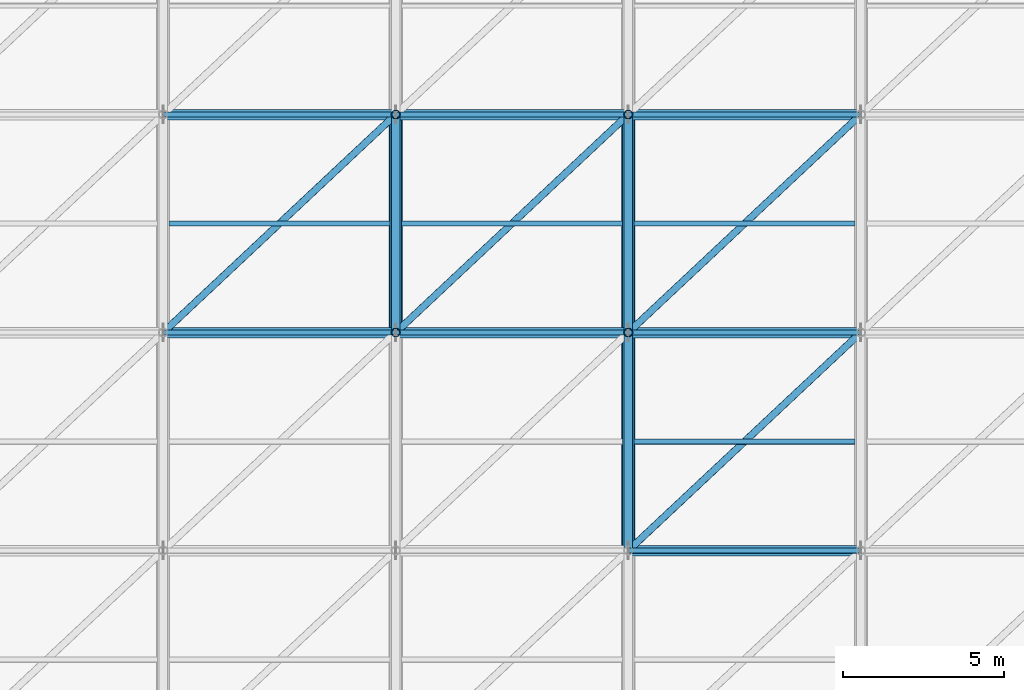
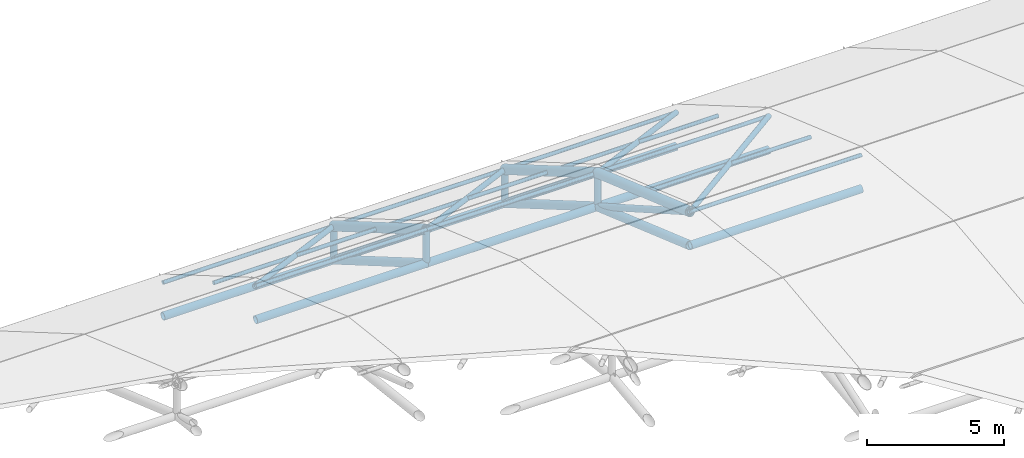
# One storey, part 6 of 72: 32 members, 3 beams.
"""IFC4 building model written with IfcOpenShell, lengths in metres."""

from ifc_helpers import new_model, si_unit, direction, frame, origin, origin_2d, place, context, subcontext, project, spatial, hollow_circle, extrude, material, material_profile, profile_set, type_object, element, save


model = new_model("IFC4")

# Units and contexts
model_context = context("Model", 3, precision=1e-05, world=origin(), true_north=direction((0.0, 1.0)))
body_context = subcontext(model_context, "Body", "Model", "MODEL_VIEW")
ifc_project = project(units=[si_unit("LENGTHUNIT", "METRE"), si_unit("AREAUNIT", "SQUARE_METRE"), si_unit("VOLUMEUNIT", "CUBIC_METRE"), si_unit("PLANEANGLEUNIT", "RADIAN"), si_unit("MASSUNIT", "GRAM", prefix="KILO")], contexts=[model_context])

# Site, building, storey
site_placement = place(None, origin())
site = spatial("IfcSite", under=ifc_project, at=site_placement, CompositionType="ELEMENT")
building_placement = place(site_placement, origin())
building = spatial("IfcBuilding", under=site, at=building_placement, Name="Vaelcorin Mobility Hub", CompositionType="ELEMENT")
storey_placement = place(building_placement, frame((0.0, 0.0, 25.800048828125)))
storey = spatial("IfcBuildingStorey", under=building, at=storey_placement, Name="RF", CompositionType="ELEMENT", Elevation=25.800048828125)

# Members
ifc_material = material(Name="Steel ASTM A500 Grade C", Category="steel")
ifc_material_profile_1 = material_profile(ifc_material, hollow_circle(Radius=0.161865234375, WallThickness=0.0126953125, at=origin_2d()), Name="HSS12.750X0.500")
ifc_profile_set_1 = profile_set([ifc_material_profile_1], Name="Steel ASTM A500 Grade C")
member_type_1 = type_object("IfcMemberType", Name="SF-CHORD-12", PredefinedType="CHORD", material=ifc_profile_set_1)
for number, where, z_axis, x_axis, name in (
    (1, (50.39990234375, 46.5, -11.85009765625), (1.0, 0.0, 0.0), (0.0, 1.0, 0.0), "Space Frame Lower Longitudinal Chord 3-6"),
    (2, (50.39990234375, 53.25, -15.7880859375), (1.0, 0.0, 0.0), (0.0, 1.0, 0.0), "Space Frame Lower Longitudinal Chord 3-7"),
):
    element("IfcMember", number, at=place(storey_placement, frame(where, z_axis=z_axis, x_axis=x_axis)), inside=storey, type_object=member_type_1, Name=name, PredefinedType="CHORD", context=body_context, shape_type="SweptSolid", body=[
        extrude(hollow_circle(Radius=0.161865234375, WallThickness=0.0126953125, at=origin_2d()), origin(), (0.0, 0.0, 1.0), 7.2001953125),
    ])
for number, where, z_axis, x_axis, name in (
    (3, (57.60009765625, 46.5, -11.85009765625), (1.0, 0.0, 0.0), (0.0, 1.0, 0.0), "Space Frame Lower Longitudinal Chord 4-6"),
    (4, (57.60009765625, 53.25, -15.7880859375), (1.0, 0.0, 0.0), (0.0, 1.0, 0.0), "Space Frame Lower Longitudinal Chord 4-7"),
    (5, (64.800048828125, 39.75, -9.488037109375), (1.0, 0.0, 0.0), (0.0, 1.0, 0.0), "Space Frame Lower Longitudinal Chord 5-5"),
    (6, (64.800048828125, 46.5, -11.85009765625), (1.0, 0.0, 0.0), (0.0, 1.0, 0.0), "Space Frame Lower Longitudinal Chord 5-6"),
    (7, (64.800048828125, 53.25, -15.7880859375), (1.0, 0.0, 0.0), (0.0, 1.0, 0.0), "Space Frame Lower Longitudinal Chord 5-7"),
):
    element("IfcMember", number, at=place(storey_placement, frame(where, z_axis=z_axis, x_axis=x_axis)), inside=storey, type_object=member_type_1, Name=name, PredefinedType="CHORD", context=body_context, shape_type="SweptSolid", body=[
        extrude(hollow_circle(Radius=0.161865234375, WallThickness=0.0126953125, at=origin_2d()), origin(), (0.0, 0.0, 1.0), 7.199951171875),
    ])
ifc_material_profile_2 = material_profile(ifc_material, hollow_circle(Radius=0.177734375, WallThickness=0.0126953125, at=origin_2d()), Name="HSS14.000X0.500")
ifc_profile_set_2 = profile_set([ifc_material_profile_2], Name="Steel ASTM A500 Grade C")
member_type_2 = type_object("IfcMemberType", Name="SF-CHORD-14", PredefinedType="CHORD", material=ifc_profile_set_2)
member_1_placement = place(storey_placement, frame((57.60009765625, 46.5, -11.85009765625), z_axis=(0.0, 0.863751705385, -0.503917643514), x_axis=(-1.0, 0.0, 0.0)))
element("IfcMember", 8, at=member_1_placement, inside=storey, type_object=member_type_2, Name="Space Frame Roof Truss Lower Chord 4-7", PredefinedType="CHORD", context=body_context, shape_type="SweptSolid", body=[
    extrude(hollow_circle(Radius=0.177734375, WallThickness=0.0126953125, at=origin_2d()), origin(), (0.0, 0.0, 1.0), 7.814697265625),
])
member_2_placement = place(storey_placement, frame((64.800048828125, 39.75, -9.488037109375), z_axis=(0.0, 0.943877515247, -0.330295679977), x_axis=(-1.0, 0.0, 0.0)))
element("IfcMember", 9, at=member_2_placement, inside=storey, type_object=member_type_2, Name="Space Frame Roof Truss Lower Chord 5-6", PredefinedType="CHORD", context=body_context, shape_type="SweptSolid", body=[
    extrude(hollow_circle(Radius=0.177734375, WallThickness=0.0126953125, at=origin_2d()), origin(), (0.0, 0.0, 1.0), 7.1513671875),
])
member_3_placement = place(storey_placement, frame((64.800048828125, 46.5, -11.85009765625), z_axis=(0.0, 0.863751705385, -0.503917643514), x_axis=(-1.0, 0.0, 0.0)))
element("IfcMember", 10, at=member_3_placement, inside=storey, type_object=member_type_2, Name="Space Frame Roof Truss Lower Chord 5-7", PredefinedType="CHORD", context=body_context, shape_type="SweptSolid", body=[
    extrude(hollow_circle(Radius=0.177734375, WallThickness=0.0126953125, at=origin_2d()), origin(), (0.0, 0.0, 1.0), 7.814697265625),
])
ifc_material_profile_3 = material_profile(ifc_material, hollow_circle(Radius=0.136474609375, WallThickness=0.0126953125, at=origin_2d()), Name="HSS10.750X0.500")
ifc_profile_set_3 = profile_set([ifc_material_profile_3], Name="Steel ASTM A500 Grade C")
member_type_3 = type_object("IfcMemberType", Name="SF-DIAG-10", PredefinedType="BRACE", material=ifc_profile_set_3)
member_4_placement = place(storey_placement, frame((57.60009765625, 46.5, -10.35009765625), z_axis=(0.0, 0.778726388415, -0.627363699926), x_axis=(-1.0, 0.0, 0.0)))
element("IfcMember", 11, at=member_4_placement, inside=storey, type_object=member_type_3, Name="Space Frame Roof Truss Web Diagonal 4-7", PredefinedType="BRACE", context=body_context, shape_type="SweptSolid", body=[
    extrude(hollow_circle(Radius=0.136474609375, WallThickness=0.0126953125, at=origin_2d()), origin(), (0.0, 0.0, 1.0), 8.66796875),
])
member_5_placement = place(storey_placement, frame((64.800048828125, 39.75, -7.988037109375), z_axis=(0.0, 0.867970611296, -0.496615563516), x_axis=(-1.0, 0.0, 0.0)))
element("IfcMember", 12, at=member_5_placement, inside=storey, type_object=member_type_3, Name="Space Frame Roof Truss Web Diagonal 5-6", PredefinedType="BRACE", context=body_context, shape_type="SweptSolid", body=[
    extrude(hollow_circle(Radius=0.136474609375, WallThickness=0.0126953125, at=origin_2d()), origin(), (0.0, 0.0, 1.0), 7.77685546875),
])
member_6_placement = place(storey_placement, frame((64.800048828125, 46.5, -10.35009765625), z_axis=(0.0, 0.778726388415, -0.627363699926), x_axis=(-1.0, 0.0, 0.0)))
element("IfcMember", 13, at=member_6_placement, inside=storey, type_object=member_type_3, Name="Space Frame Roof Truss Web Diagonal 5-7", PredefinedType="BRACE", context=body_context, shape_type="SweptSolid", body=[
    extrude(hollow_circle(Radius=0.136474609375, WallThickness=0.0126953125, at=origin_2d()), origin(), (0.0, 0.0, 1.0), 8.66796875),
])
ifc_material_profile_4 = material_profile(ifc_material, hollow_circle(Radius=0.109619140625, WallThickness=0.009521484375, at=origin_2d()), Name="HSS8.625X0.375")
ifc_profile_set_4 = profile_set([ifc_material_profile_4], Name="Steel ASTM A500 Grade C")
member_type_4 = type_object("IfcMemberType", Name="SF-DIAG-8", PredefinedType="BRACE", material=ifc_profile_set_4)
for number, where, z_axis, x_axis, name in (
    (14, (50.39990234375, 46.5, -10.35009765625), (0.67759810152, 0.635230988431, -0.370597361234), (-0.683931254551, 0.729546461199, 0.0), "Space Frame Bracing Diagonal 3-7"),
    (15, (57.60009765625, 46.5, -10.35009765625), (0.677585674596, 0.635240877937, -0.370603130828), (-0.683943597489, 0.729534889813, 0.0), "Space Frame Bracing Diagonal 4-7"),
):
    element("IfcMember", number, at=place(storey_placement, frame(where, z_axis=z_axis, x_axis=x_axis)), inside=storey, type_object=member_type_4, Name=name, PredefinedType="BRACE", context=body_context, shape_type="SweptSolid", body=[
        extrude(hollow_circle(Radius=0.109619140625, WallThickness=0.009521484375, at=origin_2d()), origin(), (0.0, 0.0, 1.0), 10.6259765625),
    ])
member_7_placement = place(storey_placement, frame((64.800048828125, 39.75, -7.988037109375), z_axis=(0.709497274068, 0.665158205331, -0.232762067295), x_axis=(-0.683943597489, 0.729534889813, 0.0)))
element("IfcMember", 16, at=member_7_placement, inside=storey, type_object=member_type_4, Name="Space Frame Bracing Diagonal 5-6", PredefinedType="BRACE", context=body_context, shape_type="SweptSolid", body=[
    extrude(hollow_circle(Radius=0.109619140625, WallThickness=0.009521484375, at=origin_2d()), origin(), (0.0, 0.0, 1.0), 10.14794921875),
])
member_8_placement = place(storey_placement, frame((64.800048828125, 46.5, -10.35009765625), z_axis=(0.677585674596, 0.635240877937, -0.370603130828), x_axis=(-0.683943597489, 0.729534889813, 0.0)))
element("IfcMember", 17, at=member_8_placement, inside=storey, type_object=member_type_4, Name="Space Frame Bracing Diagonal 5-7", PredefinedType="BRACE", context=body_context, shape_type="SweptSolid", body=[
    extrude(hollow_circle(Radius=0.109619140625, WallThickness=0.009521484375, at=origin_2d()), origin(), (0.0, 0.0, 1.0), 10.6259765625),
])
ifc_material_profile_5 = material_profile(ifc_material, hollow_circle(Radius=0.136474609375, WallThickness=0.0126953125, at=origin_2d()), Name="HSS10.750X0.500")
ifc_profile_set_5 = profile_set([ifc_material_profile_5], Name="Steel ASTM A500 Grade C")
member_type_5 = type_object("IfcMemberType", Name="SF-POST-10", PredefinedType="POST", material=ifc_profile_set_5)
for number, where, z_axis, x_axis, name in (
    (18, (57.60009765625, 46.5, -11.85009765625), (0.0, 0.0, 1.0), (1.0, 0.0, 0.0), "Space Frame Roof Truss Post 4-6"),
    (19, (57.60009765625, 53.25, -15.7880859375), (0.0, 0.0, 1.0), (1.0, 0.0, 0.0), "Space Frame Roof Truss Post 4-7"),
    (20, (64.800048828125, 46.5, -11.85009765625), (0.0, 0.0, 1.0), (1.0, 0.0, 0.0), "Space Frame Roof Truss Post 5-6"),
    (21, (64.800048828125, 53.25, -15.7880859375), (0.0, 0.0, 1.0), (1.0, 0.0, 0.0), "Space Frame Roof Truss Post 5-7"),
):
    element("IfcMember", number, at=place(storey_placement, frame(where, z_axis=z_axis, x_axis=x_axis)), inside=storey, type_object=member_type_5, Name=name, PredefinedType="POST", context=body_context, shape_type="SweptSolid", body=[
        extrude(hollow_circle(Radius=0.136474609375, WallThickness=0.0126953125, at=origin_2d()), origin(), (0.0, 0.0, 1.0), 1.5),
    ])
ifc_material_profile_6 = material_profile(ifc_material, hollow_circle(Radius=0.084228515625, WallThickness=0.0078125, at=origin_2d()), Name="HSS6.625X0.312")
ifc_profile_set_6 = profile_set([ifc_material_profile_6], Name="Steel ASTM A500 Grade C")
member_type_6 = type_object("IfcMemberType", Name="SF-PURL-6", PredefinedType="PURLIN", material=ifc_profile_set_6)
for number, where, z_axis, x_axis, name in (
    (22, (50.39990234375, 46.5, -10.35009765625), (1.0, 0.0, 0.0), (0.0, 1.0, 0.0), "Space Frame Longitudinal Chord 3-6"),
    (23, (50.39990234375, 53.25, -14.2880859375), (1.0, 0.0, 0.0), (0.0, 1.0, 0.0), "Space Frame Longitudinal Chord 3-7"),
):
    element("IfcMember", number, at=place(storey_placement, frame(where, z_axis=z_axis, x_axis=x_axis)), inside=storey, type_object=member_type_6, Name=name, PredefinedType="PURLIN", context=body_context, shape_type="SweptSolid", body=[
        extrude(hollow_circle(Radius=0.084228515625, WallThickness=0.0078125, at=origin_2d()), origin(), (0.0, 0.0, 1.0), 7.2001953125),
    ])
member_9_placement = place(storey_placement, frame((50.580078125, 49.875, -12.319091796875), z_axis=(1.0, 0.0, 0.0), x_axis=(0.0, 1.0, 0.0)))
element("IfcMember", 24, at=member_9_placement, inside=storey, type_object=member_type_6, Name="Space Frame Secondary Purlin 3-7", PredefinedType="PURLIN", context=body_context, shape_type="SweptSolid", body=[
    extrude(hollow_circle(Radius=0.084228515625, WallThickness=0.0078125, at=origin_2d()), origin(), (0.0, 0.0, 1.0), 6.83984375),
])
for number, where, z_axis, x_axis, name in (
    (25, (57.60009765625, 46.5, -10.35009765625), (1.0, 0.0, 0.0), (0.0, 1.0, 0.0), "Space Frame Longitudinal Chord 4-6"),
    (26, (57.60009765625, 53.25, -14.2880859375), (1.0, 0.0, 0.0), (0.0, 1.0, 0.0), "Space Frame Longitudinal Chord 4-7"),
):
    element("IfcMember", number, at=place(storey_placement, frame(where, z_axis=z_axis, x_axis=x_axis)), inside=storey, type_object=member_type_6, Name=name, PredefinedType="PURLIN", context=body_context, shape_type="SweptSolid", body=[
        extrude(hollow_circle(Radius=0.084228515625, WallThickness=0.0078125, at=origin_2d()), origin(), (0.0, 0.0, 1.0), 7.199951171875),
    ])
member_10_placement = place(storey_placement, frame((57.780029296875, 49.875, -12.319091796875), z_axis=(1.0, 0.0, 0.0), x_axis=(0.0, 1.0, 0.0)))
element("IfcMember", 27, at=member_10_placement, inside=storey, type_object=member_type_6, Name="Space Frame Secondary Purlin 4-7", PredefinedType="PURLIN", context=body_context, shape_type="SweptSolid", body=[
    extrude(hollow_circle(Radius=0.084228515625, WallThickness=0.0078125, at=origin_2d()), origin(), (0.0, 0.0, 1.0), 6.840087890625),
])
for number, where, z_axis, x_axis, name in (
    (28, (64.800048828125, 39.75, -7.988037109375), (1.0, 0.0, 0.0), (0.0, 1.0, 0.0), "Space Frame Longitudinal Chord 5-5"),
    (29, (64.800048828125, 46.5, -10.35009765625), (1.0, 0.0, 0.0), (0.0, 1.0, 0.0), "Space Frame Longitudinal Chord 5-6"),
    (30, (64.800048828125, 53.25, -14.2880859375), (1.0, 0.0, 0.0), (0.0, 1.0, 0.0), "Space Frame Longitudinal Chord 5-7"),
):
    element("IfcMember", number, at=place(storey_placement, frame(where, z_axis=z_axis, x_axis=x_axis)), inside=storey, type_object=member_type_6, Name=name, PredefinedType="PURLIN", context=body_context, shape_type="SweptSolid", body=[
        extrude(hollow_circle(Radius=0.084228515625, WallThickness=0.0078125, at=origin_2d()), origin(), (0.0, 0.0, 1.0), 7.199951171875),
    ])
for number, where, z_axis, x_axis, name in (
    (31, (64.97998046875, 43.125, -9.1689453125), (1.0, 0.0, 0.0), (0.0, 1.0, 0.0), "Space Frame Secondary Purlin 5-6"),
    (32, (64.97998046875, 49.875, -12.319091796875), (1.0, 0.0, 0.0), (0.0, 1.0, 0.0), "Space Frame Secondary Purlin 5-7"),
):
    element("IfcMember", number, at=place(storey_placement, frame(where, z_axis=z_axis, x_axis=x_axis)), inside=storey, type_object=member_type_6, Name=name, PredefinedType="PURLIN", context=body_context, shape_type="SweptSolid", body=[
        extrude(hollow_circle(Radius=0.084228515625, WallThickness=0.0078125, at=origin_2d()), origin(), (0.0, 0.0, 1.0), 6.840087890625),
    ])

# Beams
ifc_material_profile_7 = material_profile(ifc_material, hollow_circle(Radius=0.203125, WallThickness=0.015869140625, at=origin_2d()), Name="HSS16.000X0.625")
ifc_profile_set_7 = profile_set([ifc_material_profile_7], Name="Steel ASTM A500 Grade C")
beam_type = type_object("IfcBeamType", Name="TR-CHORD-16", PredefinedType="BEAM", material=ifc_profile_set_7)
beam_1_placement = place(storey_placement, frame((57.60009765625, 46.5, -10.35009765625), z_axis=(0.0, 0.863751705385, -0.503917643514), x_axis=(-1.0, 0.0, 0.0)))
element("IfcBeam", 33, at=beam_1_placement, inside=storey, type_object=beam_type, Name="Space Frame Roof Truss Upper Chord 4-7", PredefinedType="BEAM", context=body_context, shape_type="SweptSolid", body=[
    extrude(hollow_circle(Radius=0.203125, WallThickness=0.015869140625, at=origin_2d()), origin(), (0.0, 0.0, 1.0), 7.814697265625),
])
beam_2_placement = place(storey_placement, frame((64.800048828125, 39.75, -7.988037109375), z_axis=(0.0, 0.943877515247, -0.330295679977), x_axis=(-1.0, 0.0, 0.0)))
element("IfcBeam", 34, at=beam_2_placement, inside=storey, type_object=beam_type, Name="Space Frame Roof Truss Upper Chord 5-6", PredefinedType="BEAM", context=body_context, shape_type="SweptSolid", body=[
    extrude(hollow_circle(Radius=0.203125, WallThickness=0.015869140625, at=origin_2d()), origin(), (0.0, 0.0, 1.0), 7.1513671875),
])
beam_3_placement = place(storey_placement, frame((64.800048828125, 46.5, -10.35009765625), z_axis=(0.0, 0.863751705385, -0.503917643514), x_axis=(-1.0, 0.0, 0.0)))
element("IfcBeam", 35, at=beam_3_placement, inside=storey, type_object=beam_type, Name="Space Frame Roof Truss Upper Chord 5-7", PredefinedType="BEAM", context=body_context, shape_type="SweptSolid", body=[
    extrude(hollow_circle(Radius=0.203125, WallThickness=0.015869140625, at=origin_2d()), origin(), (0.0, 0.0, 1.0), 7.814697265625),
])

save(model, "model.ifc")
